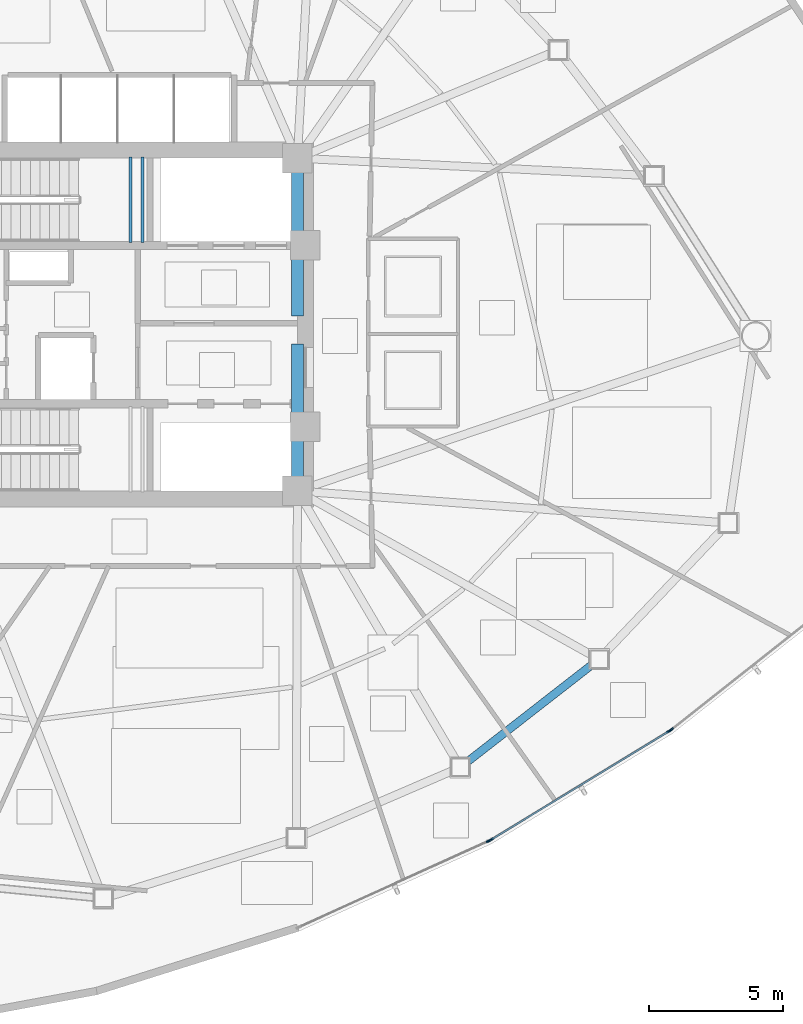
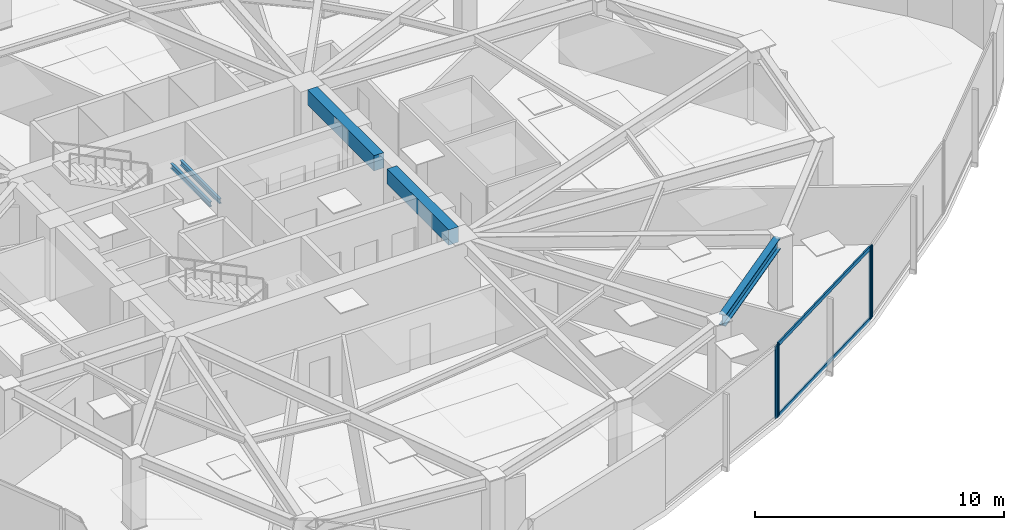
# One storey, part 5 of 17: 6 members, 5 beams, 3 elements without a shape of their own.
"""IFC4 building model written with IfcOpenShell, lengths in metres."""

from ifc_helpers import new_model, si_unit, direction, frame, origin, origin_2d, place, context, subcontext, project, spatial, rectangle, hollow_rectangle, i_section, extrude, source, transform, mapped, material, layer, layer_set, material_profile, profile_set, type_object, type_shapes, element, aggregate, save


model = new_model("IFC4")

# Units and contexts
model_context = context("Model", 3, precision=1e-05, world=origin(), true_north=direction((0.0, 1.0)))
body_context = subcontext(model_context, "Body", "Model", "MODEL_VIEW")
ifc_project = project(units=[si_unit("LENGTHUNIT", "METRE"), si_unit("AREAUNIT", "SQUARE_METRE"), si_unit("VOLUMEUNIT", "CUBIC_METRE"), si_unit("PLANEANGLEUNIT", "RADIAN"), si_unit("MASSUNIT", "GRAM", prefix="KILO")], contexts=[model_context])

# Site, building, storey
site_placement = place(None, origin())
site = spatial("IfcSite", under=ifc_project, at=site_placement, CompositionType="ELEMENT")
building_placement = place(site_placement, origin())
building = spatial("IfcBuilding", under=site, at=building_placement, Name="Tavelor Broadcast Tower", CompositionType="ELEMENT")
storey_placement = place(building_placement, frame((0.0, 0.0, 150.25)))
storey = spatial("IfcBuildingStorey", under=building, at=storey_placement, Name="L35", CompositionType="ELEMENT", Elevation=150.25)

# Beams
ifc_material_1 = material(Name="Concrete C40/50", Category="concrete")
ifc_material_profile_1 = material_profile(ifc_material_1, rectangle(XDim=0.449951171875, YDim=0.75, at=origin_2d()), Name="RC 450x750")
ifc_profile_set_1 = profile_set([ifc_material_profile_1], Name="Concrete C40/50")
beam_type_1 = type_object("IfcBeamType", Name="Basement Core Trim Beam 450x750", PredefinedType="BEAM", material=ifc_profile_set_1)
beam_1_placement = place(storey_placement, frame((56.60009765625, 45.327880859375, 3.175048828125), z_axis=(0.0, 1.0, 0.0), x_axis=(-1.0, 0.0, 0.0)))
element("IfcBeam", 1, at=beam_1_placement, inside=storey, type_object=beam_type_1, Name="L35 Core East-N Tie Girder", PredefinedType="BEAM", context=body_context, shape_type="SweptSolid", body=[
    extrude(rectangle(XDim=0.449951171875, YDim=0.75, at=origin_2d()), origin(), (0.0, 0.0, 1.0), 5.34423828125),
])
beam_2_placement = place(storey_placement, frame((56.60009765625, 39.327880859375, 3.175048828125), z_axis=(0.0, 1.0, 0.0), x_axis=(-1.0, 0.0, 0.0)))
element("IfcBeam", 2, at=beam_2_placement, inside=storey, type_object=beam_type_1, Name="L35 Core East-S Tie Girder", PredefinedType="BEAM", context=body_context, shape_type="SweptSolid", body=[
    extrude(rectangle(XDim=0.449951171875, YDim=0.75, at=origin_2d()), origin(), (0.0, 0.0, 1.0), 4.944091796875),
])
ifc_material_2 = material(Name="Steel S355", Category="steel")
ifc_material_profile_2 = material_profile(ifc_material_2, i_section(OverallWidth=0.300048828125, OverallDepth=0.550048828125, WebThickness=0.014892578125, FlangeThickness=0.029052734375, at=origin_2d()), Name="HEB 550")
ifc_profile_set_2 = profile_set([ifc_material_profile_2], Name="Steel S355")
beam_type_2 = type_object("IfcBeamType", Name="Perimeter Spandrel Beam T3 HEB 550", PredefinedType="SPANDREL", material=ifc_profile_set_2)
beam_3_placement = place(storey_placement, frame((62.934326171875, 28.709716796875, 3.27490234375), z_axis=(0.788970059341, 0.614431644257, 0.0), x_axis=(-0.614431644257, 0.788970059341, 0.0)))
element("IfcBeam", 3, at=beam_3_placement, inside=storey, type_object=beam_type_2, Name="L35 Framed-Tube Ring Spandrel 10", PredefinedType="SPANDREL", context=body_context, shape_type="SweptSolid", body=[
    extrude(i_section(OverallWidth=0.300048828125, OverallDepth=0.550048828125, WebThickness=0.014892578125, FlangeThickness=0.029052734375, at=origin_2d()), origin(), (0.0, 0.0, 1.0), 5.884765625),
])
ifc_material_profile_3 = material_profile(ifc_material_2, i_section(OverallWidth=0.1201171875, OverallDepth=0.239990234375, WebThickness=0.006103515625, FlangeThickness=0.009765625, at=origin_2d()), Name="IPE 240")
ifc_profile_set_3 = profile_set([ifc_material_profile_3], Name="Steel S355")
beam_type_3 = type_object("IfcBeamType", Name="Stairwell Landing Support Trimmer Beam IPE240", PredefinedType="BEAM", material=ifc_profile_set_3)
for number, where, z_axis, x_axis, name in (
    (4, (50.385009765625, 48.06005859375, 1.610107421875), (0.0, 1.0, 0.0), (-1.0, 0.0, 0.0), "L35 Stair Landing Support Beam 103"),
    (5, (50.824951171875, 48.06005859375, 1.610107421875), (0.0, 1.0, 0.0), (-1.0, 0.0, 0.0), "L35 Stair Landing Support Beam 104"),
):
    element("IfcBeam", number, at=place(storey_placement, frame(where, z_axis=z_axis, x_axis=x_axis)), inside=storey, type_object=beam_type_3, Name=name, PredefinedType="BEAM", context=body_context, shape_type="SweptSolid", body=[
        extrude(i_section(OverallWidth=0.1201171875, OverallDepth=0.239990234375, WebThickness=0.006103515625, FlangeThickness=0.009765625, at=origin_2d()), origin(), (0.0, 0.0, 1.0), 3.179931640625),
    ])

# Curtain wall, member
ifc_material_3 = material(Name="Architectural Anodized Aluminium", Category="aluminium")
ifc_layer = layer(ifc_material_3, 0.18994140625)
ifc_layer_set = layer_set([ifc_layer], Name="Architectural Anodized Aluminium")
curtain_wall_type = type_object("IfcCurtainWallType", Name="Tower Mid-Zone Acoustic Curtain Wall CW03", PredefinedType="NOTDEFINED", material=ifc_layer_set)
curtain_wall_1_placement = place(storey_placement, origin())
curtain_wall_1 = element("IfcCurtainWall", 6, at=curtain_wall_1_placement, inside=storey, type_object=curtain_wall_type, Name="L35 Curtain Wall CW03 Run 365", PredefinedType="NOTDEFINED")
ifc_material_profile_4 = material_profile(ifc_material_3, hollow_rectangle(XDim=0.068115234375, YDim=0.18994140625, WallThickness=0.02197265625, at=origin_2d()), Name="RHS 68x190x22")
ifc_profile_set_4 = profile_set([ifc_material_profile_4], Name="Architectural Anodized Aluminium")
member_type_1 = type_object("IfcMemberType", Name="CW03 Extruded Aluminium Mullion 68x190", PredefinedType="MULLION", material=ifc_profile_set_4)
shared_shape_1 = source(origin(), body_context, "Body", "SweptSolid", [
    extrude(hollow_rectangle(XDim=0.068115234375, YDim=0.18994140625, WallThickness=0.02197265625, at=origin_2d()), origin(), (0.0, 0.0, 1.0), 3.550048828125),
])
type_shapes(member_type_1, [shared_shape_1])
member_1_placement = place(storey_placement, frame((63.732421875, 25.7587890625, 0.0), z_axis=(0.0, 0.0, 1.0), x_axis=(-0.413509353363, 0.910499870775, 0.0)))
member_1 = element("IfcMember", 7, at=member_1_placement, type_object=member_type_1, Name="CW03 mullion 2", PredefinedType="MULLION", context=body_context, shape_type="MappedRepresentation", body=[
    mapped(shared_shape_1, transform((0.0, 0.0, 0.0), scale=1.0)),
])
aggregate(curtain_wall_1, [member_1])

# Curtain wall, members
curtain_wall_2_placement = place(storey_placement, origin())
curtain_wall_2 = element("IfcCurtainWall", 8, at=curtain_wall_2_placement, inside=storey, type_object=curtain_wall_type, Name="L35 Curtain Wall CW03 Run 366", PredefinedType="NOTDEFINED")
member_2_placement = place(storey_placement, frame((63.81884765625, 25.804443359375, 0.0), z_axis=(0.0, 0.0, 1.0), x_axis=(-0.520643716439, 0.853774045361, 0.0)))
member_2 = element("IfcMember", 9, at=member_2_placement, type_object=member_type_1, Name="CW03 mullion 1", PredefinedType="MULLION", context=body_context, shape_type="MappedRepresentation", body=[
    mapped(shared_shape_1, transform((0.0, 0.0, 0.0), scale=1.0)),
])
member_3_placement = place(storey_placement, frame((70.452880859375, 29.85009765625, 0.0), z_axis=(0.0, 0.0, 1.0), x_axis=(-0.520643716439, 0.853774045361, 0.0)))
member_3 = element("IfcMember", 10, at=member_3_placement, type_object=member_type_1, Name="CW03 mullion 2", PredefinedType="MULLION", context=body_context, shape_type="MappedRepresentation", body=[
    mapped(shared_shape_1, transform((0.0, 0.0, 0.0), scale=1.0)),
])

# Curtain wall, member
curtain_wall_3_placement = place(storey_placement, origin())
curtain_wall_3 = element("IfcCurtainWall", 11, at=curtain_wall_3_placement, inside=storey, type_object=curtain_wall_type, Name="L35 Curtain Wall CW03 Run 367", PredefinedType="NOTDEFINED")
member_4_placement = place(storey_placement, frame((70.533203125, 29.906005859375, 0.0), z_axis=(0.0, 0.0, 1.0), x_axis=(-0.620143023178, 0.784488770349, 0.0)))
member_4 = element("IfcMember", 12, at=member_4_placement, type_object=member_type_1, Name="CW03 mullion 1", PredefinedType="MULLION", context=body_context, shape_type="MappedRepresentation", body=[
    mapped(shared_shape_1, transform((0.0, 0.0, 0.0), scale=1.0)),
])
aggregate(curtain_wall_3, [member_4])

# Member
ifc_material_profile_5 = material_profile(ifc_material_3, hollow_rectangle(XDim=0.068115234375, YDim=0.18994140625, WallThickness=0.02197265625, at=origin_2d()), Name="RHS 68x190x22")
ifc_profile_set_5 = profile_set([ifc_material_profile_5], Name="Architectural Anodized Aluminium")
member_type_2 = type_object("IfcMemberType", Name="CW03 Extruded Aluminium Transom 68x190", PredefinedType="USERDEFINED", material=ifc_profile_set_5)
shared_shape_2 = source(origin(), body_context, "Body", "SweptSolid", [
    extrude(hollow_rectangle(XDim=0.068115234375, YDim=0.18994140625, WallThickness=0.02197265625, at=origin_2d()), origin(), (0.0, 0.0, 1.0), 7.7021484375),
])
type_shapes(member_type_2, [shared_shape_2])
member_5_placement = place(storey_placement, frame((63.847900390625, 25.822265625, 0.033935546875), z_axis=(0.853778993112, 0.520635602817, 0.0), x_axis=(-0.520635602817, 0.853778993112, 0.0)))
member_5 = element("IfcMember", 13, at=member_5_placement, type_object=member_type_2, Name="CW03 transom 1.1", ObjectType="TRANSOM", PredefinedType="USERDEFINED", context=body_context, shape_type="MappedRepresentation", body=[
    mapped(shared_shape_2, transform((0.0, 0.0, 0.0), scale=1.0)),
])

member_6_placement = place(storey_placement, frame((63.847900390625, 25.822265625, 3.51611328125), z_axis=(0.853778993112, 0.520635602817, 0.0), x_axis=(-0.520635602817, 0.853778993112, 0.0)))
member_6 = element("IfcMember", 14, at=member_6_placement, type_object=member_type_2, Name="CW03 transom 1.2", ObjectType="TRANSOM", PredefinedType="USERDEFINED", context=body_context, shape_type="MappedRepresentation", body=[
    mapped(shared_shape_2, transform((0.0, 0.0, 0.0), scale=1.0)),
])

aggregate(curtain_wall_2, [member_2, member_3, member_5, member_6])

save(model, "model.ifc")
